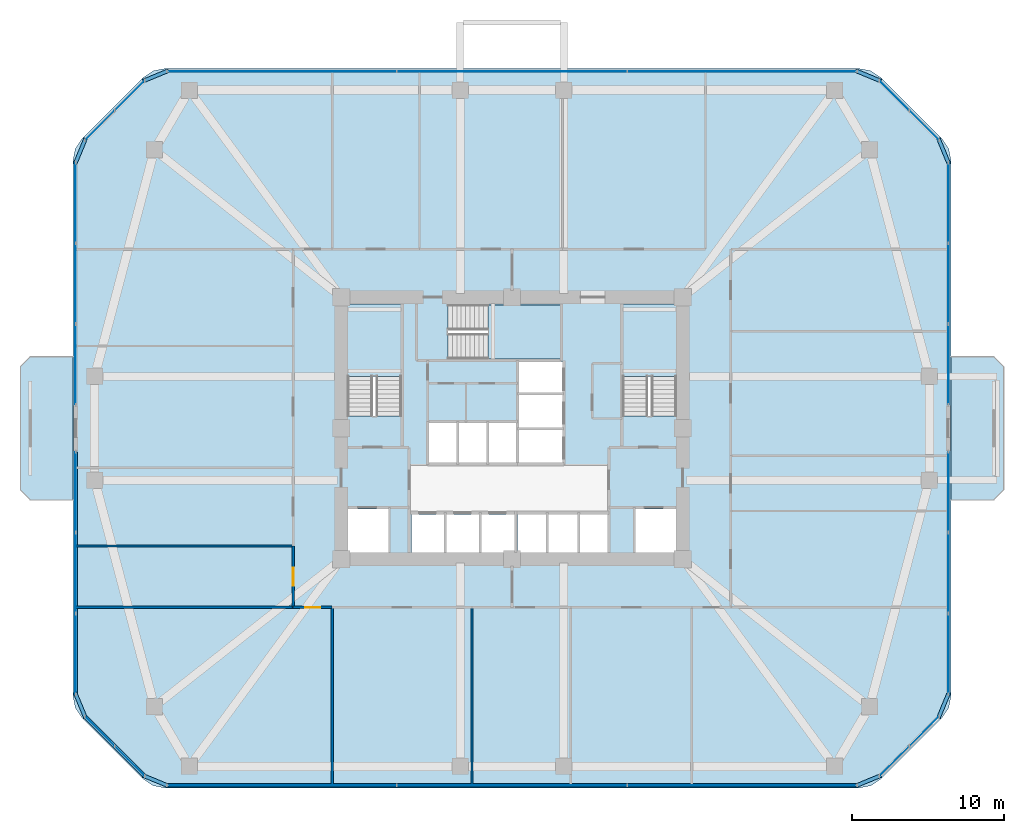
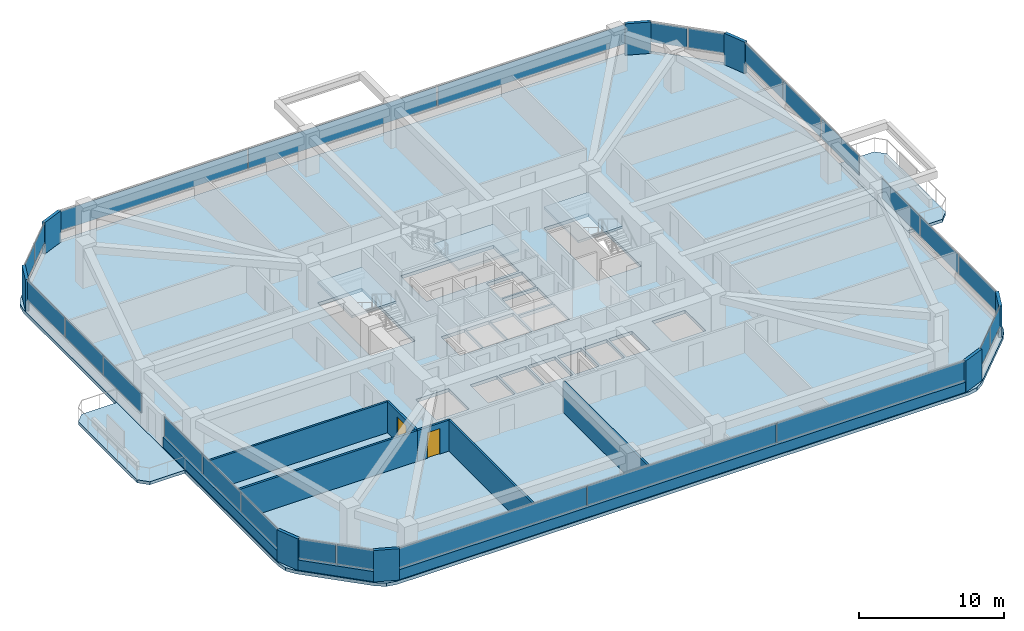
# One storey, part 9 of 15: 34 plates, 9 walls, 6 slabs, 2 doors, 2 openings, 13 elements without a shape of their own.
"""IFC4 building model written with IfcOpenShell, lengths in metres."""

from ifc_helpers import new_model, si_unit, derived_unit, direction, frame, frame_2d, origin, origin_2d, place, context, subcontext, project, spatial, polyline, rectangle, outline, extrude, material, layer, layer_set, type_object, element, fill, aggregate, save


model = new_model("IFC4")

# Units and contexts
model_context = context("Model", 3, precision=1e-05, world=origin(), true_north=direction((0.0, 1.0)))
body_context = subcontext(model_context, "Body", "Model", "MODEL_VIEW")
ifc_project = project(units=[si_unit("LENGTHUNIT", "METRE"), si_unit("AREAUNIT", "SQUARE_METRE"), si_unit("VOLUMEUNIT", "CUBIC_METRE"), si_unit("PLANEANGLEUNIT", "RADIAN"), si_unit("MASSUNIT", "GRAM", prefix="KILO"), derived_unit("THERMALTRANSMITTANCEUNIT", [(si_unit("POWERUNIT", "WATT"), 1), (si_unit("LENGTHUNIT", "METRE"), -2), (si_unit("THERMODYNAMICTEMPERATUREUNIT", "KELVIN"), -1)])], contexts=[model_context])

# Site, building, storey
site_placement = place(None, origin())
site = spatial("IfcSite", under=ifc_project, at=site_placement, CompositionType="ELEMENT")
building_placement = place(site_placement, origin())
building = spatial("IfcBuilding", under=site, at=building_placement, Name="Koralith Skygarden Medical Center", CompositionType="ELEMENT")
storey_placement = place(building_placement, frame((0.0, 0.0, 56.340087890625)))
storey = spatial("IfcBuildingStorey", under=building, at=storey_placement, Name="L14", CompositionType="ELEMENT", Elevation=56.340087890625)

# Curtain wall, plates
ifc_material_1 = material(Name="Clear Laminated Glass", Category="glass")
curtain_wall_type = type_object("IfcCurtainWallType", Name="CW-2 Zone 1 Hurricane Unitised Curtain Wall", PredefinedType="NOTDEFINED", material=ifc_material_1)
curtain_wall_1_placement = place(storey_placement, origin())
curtain_wall_1 = element("IfcCurtainWall", 1, at=curtain_wall_1_placement, inside=storey, type_object=curtain_wall_type, Name="Curtain Wall CW-L14-S", PredefinedType="NOTDEFINED")
ifc_layer_1 = layer(ifc_material_1, 0.031982421875)
ifc_layer_set_1 = layer_set([ifc_layer_1], Name="Clear Laminated Glass")
plate_type_1 = type_object("IfcPlateType", Name="CW-2 Hurricane Laminated IGU Panel 32", PredefinedType="CURTAIN_PANEL", material=ifc_layer_set_1)
plate_1_placement = place(storey_placement, frame((21.903076171875, 2.47998046875, 0.919921875), z_axis=(0.0, 0.0, 1.0), x_axis=(1.0, 0.0, 0.0)))
plate_1 = element("IfcPlate", 2, at=plate_1_placement, type_object=plate_type_1, Name="CW-L14-S Glazed Panel 1", PredefinedType="CURTAIN_PANEL", context=body_context, shape_type="SweptSolid", body=[
    extrude(rectangle(XDim=15.007080078125, YDim=0.031982421875, at=origin_2d()), origin(), (0.0, 0.0, 1.0), 1.659912109375),
])
plate_2_placement = place(storey_placement, frame((37.0, 2.47998046875, 0.919921875), z_axis=(0.0, 0.0, 1.0), x_axis=(1.0, 0.0, 0.0)))
plate_2 = element("IfcPlate", 3, at=plate_2_placement, type_object=plate_type_1, Name="CW-L14-S Glazed Panel 2", PredefinedType="CURTAIN_PANEL", context=body_context, shape_type="SweptSolid", body=[
    extrude(rectangle(XDim=15.007080078125, YDim=0.031982421875, at=origin_2d()), origin(), (0.0, 0.0, 1.0), 1.659912109375),
])
plate_3_placement = place(storey_placement, frame((52.096923828125, 2.47998046875, 0.919921875), z_axis=(0.0, 0.0, 1.0), x_axis=(1.0, 0.0, 0.0)))
plate_3 = element("IfcPlate", 4, at=plate_3_placement, type_object=plate_type_1, Name="CW-L14-S Glazed Panel 3", PredefinedType="CURTAIN_PANEL", context=body_context, shape_type="SweptSolid", body=[
    extrude(rectangle(XDim=15.007080078125, YDim=0.031982421875, at=origin_2d()), origin(), (0.0, 0.0, 1.0), 1.659912109375),
])
aggregate(curtain_wall_1, [plate_1, plate_2, plate_3])

curtain_wall_2_placement = place(storey_placement, origin())
curtain_wall_2 = element("IfcCurtainWall", 5, at=curtain_wall_2_placement, inside=storey, type_object=curtain_wall_type, Name="Curtain Wall CW-L14-SE", PredefinedType="NOTDEFINED")
plate_4_placement = place(storey_placement, frame((62.076904296875, 4.06201171875, 0.919921875), z_axis=(0.0, 0.0, 1.0), x_axis=(0.707106781187, 0.707106781187, 0.0)))
plate_4 = element("IfcPlate", 6, at=plate_4_placement, type_object=plate_type_1, Name="CW-L14-SE Glazed Panel 1", PredefinedType="CURTAIN_PANEL", context=body_context, shape_type="SweptSolid", body=[
    extrude(rectangle(XDim=2.68408203125, YDim=0.031982421875, at=origin_2d()), origin(), (0.0, 0.0, 1.0), 1.659912109375),
])
plate_5_placement = place(storey_placement, frame((64.0380859375, 6.02294921875, 0.919921875), z_axis=(0.0, 0.0, 1.0), x_axis=(0.707106781187, 0.707106781187, 0.0)))
plate_5 = element("IfcPlate", 7, at=plate_5_placement, type_object=plate_type_1, Name="CW-L14-SE Glazed Panel 2", PredefinedType="CURTAIN_PANEL", context=body_context, shape_type="SweptSolid", body=[
    extrude(rectangle(XDim=2.68408203125, YDim=0.031982421875, at=origin_2d()), origin(), (0.0, 0.0, 1.0), 1.659912109375),
])
aggregate(curtain_wall_2, [plate_4, plate_5])

curtain_wall_3_placement = place(storey_placement, origin())
curtain_wall_3 = element("IfcCurtainWall", 8, at=curtain_wall_3_placement, inside=storey, type_object=curtain_wall_type, Name="Curtain Wall CW-L14-E-L", PredefinedType="NOTDEFINED")
plate_6_placement = place(storey_placement, frame((65.6201171875, 11.10595703125, 0.919921875), z_axis=(0.0, 0.0, 1.0), x_axis=(0.0, 1.0, 0.0)))
plate_6 = element("IfcPlate", 9, at=plate_6_placement, type_object=plate_type_1, Name="CW-L14-E-L Glazed Panel 1", PredefinedType="CURTAIN_PANEL", context=body_context, shape_type="SweptSolid", body=[
    extrude(rectangle(XDim=5.2119140625, YDim=0.031982421875, at=origin_2d()), origin(), (0.0, 0.0, 1.0), 1.659912109375),
])
plate_7_placement = place(storey_placement, frame((65.6201171875, 16.406982421875, 0.919921875), z_axis=(0.0, 0.0, 1.0), x_axis=(0.0, 1.0, 0.0)))
plate_7 = element("IfcPlate", 10, at=plate_7_placement, type_object=plate_type_1, Name="CW-L14-E-L Glazed Panel 2", PredefinedType="CURTAIN_PANEL", context=body_context, shape_type="SweptSolid", body=[
    extrude(rectangle(XDim=5.2119140625, YDim=0.031982421875, at=origin_2d()), origin(), (0.0, 0.0, 1.0), 1.659912109375),
])
plate_8_placement = place(storey_placement, frame((65.6201171875, 21.708984375, 0.919921875), z_axis=(0.0, 0.0, 1.0), x_axis=(0.0, 1.0, 0.0)))
plate_8 = element("IfcPlate", 11, at=plate_8_placement, type_object=plate_type_1, Name="CW-L14-E-L Glazed Panel 3", PredefinedType="CURTAIN_PANEL", context=body_context, shape_type="SweptSolid", body=[
    extrude(rectangle(XDim=5.2119140625, YDim=0.031982421875, at=origin_2d()), origin(), (0.0, 0.0, 1.0), 1.659912109375),
])
aggregate(curtain_wall_3, [plate_6, plate_7, plate_8])

curtain_wall_4_placement = place(storey_placement, origin())
curtain_wall_4 = element("IfcCurtainWall", 12, at=curtain_wall_4_placement, inside=storey, type_object=curtain_wall_type, Name="Curtain Wall CW-L14-E-R", PredefinedType="NOTDEFINED")
plate_9_placement = place(storey_placement, frame((65.6201171875, 30.091064453125, 0.919921875), z_axis=(0.0, 0.0, 1.0), x_axis=(0.0, 1.0, 0.0)))
plate_9 = element("IfcPlate", 13, at=plate_9_placement, type_object=plate_type_1, Name="CW-L14-E-R Glazed Panel 1", PredefinedType="CURTAIN_PANEL", context=body_context, shape_type="SweptSolid", body=[
    extrude(rectangle(XDim=5.2119140625, YDim=0.031982421875, at=origin_2d()), origin(), (0.0, 0.0, 1.0), 1.659912109375),
])
plate_10_placement = place(storey_placement, frame((65.6201171875, 35.39208984375, 0.919921875), z_axis=(0.0, 0.0, 1.0), x_axis=(0.0, 1.0, 0.0)))
plate_10 = element("IfcPlate", 14, at=plate_10_placement, type_object=plate_type_1, Name="CW-L14-E-R Glazed Panel 2", PredefinedType="CURTAIN_PANEL", context=body_context, shape_type="SweptSolid", body=[
    extrude(rectangle(XDim=5.2119140625, YDim=0.031982421875, at=origin_2d()), origin(), (0.0, 0.0, 1.0), 1.659912109375),
])
plate_11_placement = place(storey_placement, frame((65.6201171875, 40.694091796875, 0.919921875), z_axis=(0.0, 0.0, 1.0), x_axis=(0.0, 1.0, 0.0)))
plate_11 = element("IfcPlate", 15, at=plate_11_placement, type_object=plate_type_1, Name="CW-L14-E-R Glazed Panel 3", PredefinedType="CURTAIN_PANEL", context=body_context, shape_type="SweptSolid", body=[
    extrude(rectangle(XDim=5.2119140625, YDim=0.031982421875, at=origin_2d()), origin(), (0.0, 0.0, 1.0), 1.659912109375),
])
aggregate(curtain_wall_4, [plate_9, plate_10, plate_11])

curtain_wall_5_placement = place(storey_placement, origin())
curtain_wall_5 = element("IfcCurtainWall", 16, at=curtain_wall_5_placement, inside=storey, type_object=curtain_wall_type, Name="Curtain Wall CW-L14-NE", PredefinedType="NOTDEFINED")
plate_12_placement = place(storey_placement, frame((64.0380859375, 45.777099609375, 0.919921875), z_axis=(0.0, 0.0, 1.0), x_axis=(-0.707106781187, 0.707106781187, 0.0)))
plate_12 = element("IfcPlate", 17, at=plate_12_placement, type_object=plate_type_1, Name="CW-L14-NE Glazed Panel 1", PredefinedType="CURTAIN_PANEL", context=body_context, shape_type="SweptSolid", body=[
    extrude(rectangle(XDim=2.68408203125, YDim=0.031982421875, at=origin_2d()), origin(), (0.0, 0.0, 1.0), 1.659912109375),
])
plate_13_placement = place(storey_placement, frame((62.076904296875, 47.738037109375, 0.919921875), z_axis=(0.0, 0.0, 1.0), x_axis=(-0.707106781187, 0.707106781187, 0.0)))
plate_13 = element("IfcPlate", 18, at=plate_13_placement, type_object=plate_type_1, Name="CW-L14-NE Glazed Panel 2", PredefinedType="CURTAIN_PANEL", context=body_context, shape_type="SweptSolid", body=[
    extrude(rectangle(XDim=2.68408203125, YDim=0.031982421875, at=origin_2d()), origin(), (0.0, 0.0, 1.0), 1.659912109375),
])
aggregate(curtain_wall_5, [plate_12, plate_13])

curtain_wall_6_placement = place(storey_placement, origin())
curtain_wall_6 = element("IfcCurtainWall", 19, at=curtain_wall_6_placement, inside=storey, type_object=curtain_wall_type, Name="Curtain Wall CW-L14-N", PredefinedType="NOTDEFINED")
plate_14_placement = place(storey_placement, frame((52.096923828125, 49.320068359375, 0.919921875), z_axis=(0.0, 0.0, 1.0), x_axis=(-1.0, 0.0, 0.0)))
plate_14 = element("IfcPlate", 20, at=plate_14_placement, type_object=plate_type_1, Name="CW-L14-N Glazed Panel 1", PredefinedType="CURTAIN_PANEL", context=body_context, shape_type="SweptSolid", body=[
    extrude(rectangle(XDim=15.007080078125, YDim=0.031982421875, at=origin_2d()), origin(), (0.0, 0.0, 1.0), 1.659912109375),
])
plate_15_placement = place(storey_placement, frame((37.0, 49.320068359375, 0.919921875), z_axis=(0.0, 0.0, 1.0), x_axis=(-1.0, 0.0, 0.0)))
plate_15 = element("IfcPlate", 21, at=plate_15_placement, type_object=plate_type_1, Name="CW-L14-N Glazed Panel 2", PredefinedType="CURTAIN_PANEL", context=body_context, shape_type="SweptSolid", body=[
    extrude(rectangle(XDim=15.007080078125, YDim=0.031982421875, at=origin_2d()), origin(), (0.0, 0.0, 1.0), 1.659912109375),
])
plate_16_placement = place(storey_placement, frame((21.903076171875, 49.320068359375, 0.919921875), z_axis=(0.0, 0.0, 1.0), x_axis=(-1.0, 0.0, 0.0)))
plate_16 = element("IfcPlate", 22, at=plate_16_placement, type_object=plate_type_1, Name="CW-L14-N Glazed Panel 3", PredefinedType="CURTAIN_PANEL", context=body_context, shape_type="SweptSolid", body=[
    extrude(rectangle(XDim=15.007080078125, YDim=0.031982421875, at=origin_2d()), origin(), (0.0, 0.0, 1.0), 1.659912109375),
])
aggregate(curtain_wall_6, [plate_14, plate_15, plate_16])

curtain_wall_7_placement = place(storey_placement, origin())
curtain_wall_7 = element("IfcCurtainWall", 23, at=curtain_wall_7_placement, inside=storey, type_object=curtain_wall_type, Name="Curtain Wall CW-L14-NW", PredefinedType="NOTDEFINED")
plate_17_placement = place(storey_placement, frame((11.923095703125, 47.738037109375, 0.919921875), z_axis=(0.0, 0.0, 1.0), x_axis=(-0.707106781187, -0.707106781187, 0.0)))
plate_17 = element("IfcPlate", 24, at=plate_17_placement, type_object=plate_type_1, Name="CW-L14-NW Glazed Panel 1", PredefinedType="CURTAIN_PANEL", context=body_context, shape_type="SweptSolid", body=[
    extrude(rectangle(XDim=2.68408203125, YDim=0.031982421875, at=origin_2d()), origin(), (0.0, 0.0, 1.0), 1.659912109375),
])
plate_18_placement = place(storey_placement, frame((9.9619140625, 45.777099609375, 0.919921875), z_axis=(0.0, 0.0, 1.0), x_axis=(-0.707106781187, -0.707106781187, 0.0)))
plate_18 = element("IfcPlate", 25, at=plate_18_placement, type_object=plate_type_1, Name="CW-L14-NW Glazed Panel 2", PredefinedType="CURTAIN_PANEL", context=body_context, shape_type="SweptSolid", body=[
    extrude(rectangle(XDim=2.68408203125, YDim=0.031982421875, at=origin_2d()), origin(), (0.0, 0.0, 1.0), 1.659912109375),
])
aggregate(curtain_wall_7, [plate_17, plate_18])

curtain_wall_8_placement = place(storey_placement, origin())
curtain_wall_8 = element("IfcCurtainWall", 26, at=curtain_wall_8_placement, inside=storey, type_object=curtain_wall_type, Name="Curtain Wall CW-L14-W-L", PredefinedType="NOTDEFINED")
plate_19_placement = place(storey_placement, frame((8.3798828125, 40.694091796875, 0.919921875), z_axis=(0.0, 0.0, 1.0), x_axis=(0.0, -1.0, 0.0)))
plate_19 = element("IfcPlate", 27, at=plate_19_placement, type_object=plate_type_1, Name="CW-L14-W-L Glazed Panel 1", PredefinedType="CURTAIN_PANEL", context=body_context, shape_type="SweptSolid", body=[
    extrude(rectangle(XDim=5.2119140625, YDim=0.031982421875, at=origin_2d()), origin(), (0.0, 0.0, 1.0), 1.659912109375),
])
plate_20_placement = place(storey_placement, frame((8.3798828125, 35.39208984375, 0.919921875), z_axis=(0.0, 0.0, 1.0), x_axis=(0.0, -1.0, 0.0)))
plate_20 = element("IfcPlate", 28, at=plate_20_placement, type_object=plate_type_1, Name="CW-L14-W-L Glazed Panel 2", PredefinedType="CURTAIN_PANEL", context=body_context, shape_type="SweptSolid", body=[
    extrude(rectangle(XDim=5.2119140625, YDim=0.031982421875, at=origin_2d()), origin(), (0.0, 0.0, 1.0), 1.659912109375),
])
plate_21_placement = place(storey_placement, frame((8.3798828125, 30.091064453125, 0.919921875), z_axis=(0.0, 0.0, 1.0), x_axis=(0.0, -1.0, 0.0)))
plate_21 = element("IfcPlate", 29, at=plate_21_placement, type_object=plate_type_1, Name="CW-L14-W-L Glazed Panel 3", PredefinedType="CURTAIN_PANEL", context=body_context, shape_type="SweptSolid", body=[
    extrude(rectangle(XDim=5.2119140625, YDim=0.031982421875, at=origin_2d()), origin(), (0.0, 0.0, 1.0), 1.659912109375),
])
aggregate(curtain_wall_8, [plate_19, plate_20, plate_21])

curtain_wall_9_placement = place(storey_placement, origin())
curtain_wall_9 = element("IfcCurtainWall", 30, at=curtain_wall_9_placement, inside=storey, type_object=curtain_wall_type, Name="Curtain Wall CW-L14-W-R", PredefinedType="NOTDEFINED")
plate_22_placement = place(storey_placement, frame((8.3798828125, 21.708984375, 0.919921875), z_axis=(0.0, 0.0, 1.0), x_axis=(0.0, -1.0, 0.0)))
plate_22 = element("IfcPlate", 31, at=plate_22_placement, type_object=plate_type_1, Name="CW-L14-W-R Glazed Panel 1", PredefinedType="CURTAIN_PANEL", context=body_context, shape_type="SweptSolid", body=[
    extrude(rectangle(XDim=5.2119140625, YDim=0.031982421875, at=origin_2d()), origin(), (0.0, 0.0, 1.0), 1.659912109375),
])
plate_23_placement = place(storey_placement, frame((8.3798828125, 16.406982421875, 0.919921875), z_axis=(0.0, 0.0, 1.0), x_axis=(0.0, -1.0, 0.0)))
plate_23 = element("IfcPlate", 32, at=plate_23_placement, type_object=plate_type_1, Name="CW-L14-W-R Glazed Panel 2", PredefinedType="CURTAIN_PANEL", context=body_context, shape_type="SweptSolid", body=[
    extrude(rectangle(XDim=5.2119140625, YDim=0.031982421875, at=origin_2d()), origin(), (0.0, 0.0, 1.0), 1.659912109375),
])
plate_24_placement = place(storey_placement, frame((8.3798828125, 11.10595703125, 0.919921875), z_axis=(0.0, 0.0, 1.0), x_axis=(0.0, -1.0, 0.0)))
plate_24 = element("IfcPlate", 33, at=plate_24_placement, type_object=plate_type_1, Name="CW-L14-W-R Glazed Panel 3", PredefinedType="CURTAIN_PANEL", context=body_context, shape_type="SweptSolid", body=[
    extrude(rectangle(XDim=5.2119140625, YDim=0.031982421875, at=origin_2d()), origin(), (0.0, 0.0, 1.0), 1.659912109375),
])
aggregate(curtain_wall_9, [plate_22, plate_23, plate_24])

curtain_wall_10_placement = place(storey_placement, origin())
curtain_wall_10 = element("IfcCurtainWall", 34, at=curtain_wall_10_placement, inside=storey, type_object=curtain_wall_type, Name="Curtain Wall CW-L14-SW", PredefinedType="NOTDEFINED")
plate_25_placement = place(storey_placement, frame((9.9619140625, 6.02294921875, 0.919921875), z_axis=(0.0, 0.0, 1.0), x_axis=(0.707106781187, -0.707106781187, 0.0)))
plate_25 = element("IfcPlate", 35, at=plate_25_placement, type_object=plate_type_1, Name="CW-L14-SW Glazed Panel 1", PredefinedType="CURTAIN_PANEL", context=body_context, shape_type="SweptSolid", body=[
    extrude(rectangle(XDim=2.68408203125, YDim=0.031982421875, at=origin_2d()), origin(), (0.0, 0.0, 1.0), 1.659912109375),
])
plate_26_placement = place(storey_placement, frame((11.923095703125, 4.06201171875, 0.919921875), z_axis=(0.0, 0.0, 1.0), x_axis=(0.707106781187, -0.707106781187, 0.0)))
plate_26 = element("IfcPlate", 36, at=plate_26_placement, type_object=plate_type_1, Name="CW-L14-SW Glazed Panel 2", PredefinedType="CURTAIN_PANEL", context=body_context, shape_type="SweptSolid", body=[
    extrude(rectangle(XDim=2.68408203125, YDim=0.031982421875, at=origin_2d()), origin(), (0.0, 0.0, 1.0), 1.659912109375),
])
aggregate(curtain_wall_10, [plate_25, plate_26])

# Slabs
ifc_material_2 = material(Name="Concrete C45/55", Category="concrete")
ifc_layer_2 = layer(ifc_material_2, 0.260009765625)
ifc_layer_set_2 = layer_set([ifc_layer_2], Name="Concrete C45/55")
slab_type_1 = type_object("IfcSlabType", Name="Cantilevered Planted Balcony Slab 260", PredefinedType="FLOOR", material=ifc_layer_set_2)
slab_1_placement = place(storey_placement, frame((0.0, 0.0, -0.260009765625)))
element("IfcSlab", 37, at=slab_1_placement, inside=storey, type_object=slab_type_1, Name="L14 E Planted Sky-Garden Balcony Slab", PredefinedType="FLOOR", context=body_context, shape_type="SweptSolid", body=[
    extrude(outline(polyline([(65.800048828125, 21.199951171875), (68.60009765625, 21.199951171875), (69.25, 21.85009765625), (69.25, 29.949951171875), (68.60009765625, 30.60009765625), (65.800048828125, 30.60009765625), (65.800048828125, 21.199951171875)])), origin(), (0.0, 0.0, 1.0), 0.260009765625),
])
slab_2_placement = place(storey_placement, frame((0.0, 0.0, -0.260009765625)))
element("IfcSlab", 38, at=slab_2_placement, inside=storey, type_object=slab_type_1, Name="L14 W Planted Sky-Garden Balcony Slab", PredefinedType="FLOOR", context=body_context, shape_type="SweptSolid", body=[
    extrude(outline(polyline([(5.39990234375, 21.199951171875), (8.199951171875, 21.199951171875), (8.199951171875, 30.60009765625), (5.39990234375, 30.60009765625), (4.75, 29.949951171875), (4.75, 21.85009765625), (5.39990234375, 21.199951171875)])), origin(), (0.0, 0.0, 1.0), 0.260009765625),
])

# Stair, slab
stair_type = type_object("IfcStairType", Name="Core Exit Dogleg Concrete Stair", PredefinedType="HALF_TURN_STAIR", material=ifc_material_2)
stair_1_placement = place(storey_placement, origin())
stair_1 = element("IfcStair", 39, at=stair_1_placement, inside=storey, type_object=stair_type, Name="L14 Smokeproof Exit Stair ST1", PredefinedType="HALF_TURN_STAIR")
ifc_layer_3 = layer(ifc_material_2, 0.199951171875)
ifc_layer_set_3 = layer_set([ifc_layer_3], Name="Concrete C45/55")
slab_type_2 = type_object("IfcSlabType", Name="Core Exit Concrete Stair Landing 200", PredefinedType="LANDING", material=ifc_layer_set_3)
slab_3_placement = place(storey_placement, frame((0.0, 0.0, 1.599853515625)))
slab_3 = element("IfcSlab", 40, at=slab_3_placement, type_object=slab_type_2, Name="ST1 landing 1", PredefinedType="LANDING", context=body_context, shape_type="SweptSolid", body=[
    extrude(outline(polyline([(29.75, 29.31005859375), (29.75, 34.050048828125), (26.199951171875, 34.050048828125), (26.199951171875, 29.31005859375), (29.75, 29.31005859375)])), origin(), (0.0, 0.0, 1.0), 0.199951171875),
])
aggregate(stair_1, [slab_3])

stair_2_placement = place(storey_placement, origin())
stair_2 = element("IfcStair", 41, at=stair_2_placement, inside=storey, type_object=stair_type, Name="L14 Smokeproof Exit Stair ST2", PredefinedType="HALF_TURN_STAIR")
slab_4_placement = place(storey_placement, frame((0.0, 0.0, 1.599853515625)))
slab_4 = element("IfcSlab", 42, at=slab_4_placement, type_object=slab_type_2, Name="ST2 landing 1", PredefinedType="LANDING", context=body_context, shape_type="SweptSolid", body=[
    extrude(outline(polyline([(47.800048828125, 29.31005859375), (47.800048828125, 34.050048828125), (44.25, 34.050048828125), (44.25, 29.31005859375), (47.800048828125, 29.31005859375)])), origin(), (0.0, 0.0, 1.0), 0.199951171875),
])
aggregate(stair_2, [slab_4])

stair_3_placement = place(storey_placement, origin())
stair_3 = element("IfcStair", 43, at=stair_3_placement, inside=storey, type_object=stair_type, Name="L14 Smokeproof Exit Stair ST3", PredefinedType="HALF_TURN_STAIR")
slab_5_placement = place(storey_placement, frame((0.0, 0.0, 1.599853515625)))
slab_5 = element("IfcSlab", 44, at=slab_5_placement, type_object=slab_type_2, Name="ST3 landing 1", PredefinedType="LANDING", context=body_context, shape_type="SweptSolid", body=[
    extrude(outline(polyline([(35.409912109375, 30.449951171875), (40.199951171875, 30.449951171875), (40.199951171875, 34.0), (35.409912109375, 34.0), (35.409912109375, 30.449951171875)])), origin(), (0.0, 0.0, 1.0), 0.199951171875),
])
aggregate(stair_3, [slab_5])

# Slab
ifc_layer_4 = layer(ifc_material_2, 0.280029296875)
ifc_layer_set_4 = layer_set([ifc_layer_4], Name="Concrete C45/55")
slab_type_3 = type_object("IfcSlabType", Name="Post-Tensioned Ward Floor Plate 280", PredefinedType="FLOOR", material=ifc_layer_set_4)
slab_6_placement = place(storey_placement, frame((0.0, 0.0, -0.280029296875)))
element("IfcSlab", 45, at=slab_6_placement, inside=storey, type_object=slab_type_3, Name="Level L14 Structural Floor Slab", PredefinedType="FLOOR", context=body_context, shape_type="SweptSolid", body=[
    extrude(outline(polyline([(12.81396484375, 2.885986328125), (13.462890625, 2.451904296875), (14.22802734375, 2.300048828125), (59.77197265625, 2.300048828125), (60.537109375, 2.451904296875), (61.18603515625, 2.885986328125), (65.214111328125, 6.9140625), (65.64794921875, 7.56298828125), (65.800048828125, 8.327880859375), (65.800048828125, 43.471923828125), (65.64794921875, 44.237060546875), (65.214111328125, 44.885986328125), (61.18603515625, 48.9140625), (60.537109375, 49.347900390625), (59.77197265625, 49.5), (14.22802734375, 49.5), (13.462890625, 49.347900390625), (12.81396484375, 48.9140625), (8.785888671875, 44.885986328125), (8.35205078125, 44.237060546875), (8.199951171875, 43.471923828125), (8.199951171875, 8.327880859375), (8.35205078125, 7.56298828125), (8.785888671875, 6.9140625), (12.81396484375, 2.885986328125)]), holes=[polyline([(26.199951171875, 26.705078125), (29.75, 26.705078125), (29.75, 34.050048828125), (26.199951171875, 34.050048828125), (26.199951171875, 26.705078125)]), polyline([(44.25, 26.705078125), (47.800048828125, 26.705078125), (47.800048828125, 34.050048828125), (44.25, 34.050048828125), (44.25, 26.705078125)]), polyline([(32.804931640625, 30.449951171875), (40.199951171875, 30.449951171875), (40.199951171875, 34.0), (32.804931640625, 34.0), (32.804931640625, 30.449951171875)]), polyline([(26.25, 17.75), (28.89990234375, 17.75), (28.89990234375, 20.60009765625), (26.25, 20.60009765625), (26.25, 17.75)]), polyline([(45.10009765625, 17.75), (47.75, 17.75), (47.75, 20.60009765625), (45.10009765625, 20.60009765625), (45.10009765625, 17.75)]), polyline([(30.39990234375, 17.75), (32.550048828125, 17.75), (32.550048828125, 20.25), (30.39990234375, 20.25), (30.39990234375, 17.75)]), polyline([(32.699951171875, 17.75), (34.85009765625, 17.75), (34.85009765625, 20.25), (32.699951171875, 20.25), (32.699951171875, 17.75)]), polyline([(35.0, 17.75), (37.14990234375, 17.75), (37.14990234375, 20.25), (35.0, 20.25), (35.0, 17.75)]), polyline([(37.35009765625, 17.75), (39.25, 17.75), (39.25, 20.25), (37.35009765625, 20.25), (37.35009765625, 17.75)]), polyline([(39.39990234375, 17.75), (41.300048828125, 17.75), (41.300048828125, 20.25), (39.39990234375, 20.25), (39.39990234375, 17.75)]), polyline([(41.449951171875, 17.75), (43.300048828125, 17.75), (43.300048828125, 20.25), (41.449951171875, 20.25), (41.449951171875, 17.75)]), polyline([(31.550048828125, 23.64990234375), (33.39990234375, 23.64990234375), (33.39990234375, 26.25), (31.550048828125, 26.25), (31.550048828125, 23.64990234375)]), polyline([(33.5, 23.64990234375), (35.35009765625, 23.64990234375), (35.35009765625, 26.25), (33.5, 26.25), (33.5, 23.64990234375)]), polyline([(35.449951171875, 23.64990234375), (37.300048828125, 23.64990234375), (37.300048828125, 26.25), (35.449951171875, 26.25), (35.449951171875, 23.64990234375)]), polyline([(37.449951171875, 23.64990234375), (40.300048828125, 23.64990234375), (40.300048828125, 25.800048828125), (37.449951171875, 25.800048828125), (37.449951171875, 23.64990234375)]), polyline([(37.449951171875, 25.949951171875), (40.300048828125, 25.949951171875), (40.300048828125, 28.10009765625), (37.449951171875, 28.10009765625), (37.449951171875, 25.949951171875)]), polyline([(37.449951171875, 28.25), (40.300048828125, 28.25), (40.300048828125, 30.25), (37.449951171875, 30.25), (37.449951171875, 28.25)])]), origin(), (0.0, 0.0, 1.0), 0.280029296875),
])

# Plates
ifc_material_3 = material(Name="Warm Oolitic Limestone Cladding", Category="masonry")
ifc_layer_5 = layer(ifc_material_3, 0.239990234375)
ifc_layer_set_5 = layer_set([ifc_layer_5], Name="Warm Oolitic Limestone Cladding")
plate_type_2 = type_object("IfcPlateType", Name="Rounded-Corner Oolitic Limestone Cladding Panel 240", PredefinedType="USERDEFINED", material=ifc_layer_set_5)
for number, where, z_axis, x_axis, name in (
    (46, (60.3701171875, 2.780029296875, 0.0), (0.0, 0.0, 1.0), (0.92388487569, 0.382670532536, 0.0), "L14 Rounded-Corner Limestone Pier 1"),
    (47, (65.320068359375, 7.72900390625, 0.0), (0.0, 0.0, 1.0), (0.382670532536, 0.92388487569, 0.0), "L14 Rounded-Corner Limestone Pier 2"),
    (48, (65.320068359375, 44.070068359375, 0.0), (0.0, 0.0, 1.0), (-0.382670532536, 0.92388487569, 0.0), "L14 Rounded-Corner Limestone Pier 3"),
    (49, (60.3701171875, 49.02001953125, 0.0), (0.0, 0.0, 1.0), (-0.92388487569, 0.382670532536, 0.0), "L14 Rounded-Corner Limestone Pier 4"),
    (50, (13.6298828125, 49.02001953125, 0.0), (0.0, 0.0, 1.0), (-0.92388487569, -0.382670532536, 0.0), "L14 Rounded-Corner Limestone Pier 5"),
    (51, (8.680908203125, 44.070068359375, 0.0), (0.0, 0.0, 1.0), (-0.382670532536, -0.92388487569, 0.0), "L14 Rounded-Corner Limestone Pier 6"),
    (52, (8.680908203125, 7.72900390625, 0.0), (0.0, 0.0, 1.0), (0.382670532536, -0.92388487569, 0.0), "L14 Rounded-Corner Limestone Pier 7"),
    (53, (13.6298828125, 2.780029296875, 0.0), (0.0, 0.0, 1.0), (0.92388487569, -0.382670532536, 0.0), "L14 Rounded-Corner Limestone Pier 8"),
):
    element("IfcPlate", number, at=place(storey_placement, frame(where, z_axis=z_axis, x_axis=x_axis)), inside=storey, type_object=plate_type_2, Name=name, ObjectType="LIMESTONE CLADDING", PredefinedType="USERDEFINED", context=body_context, shape_type="SweptSolid", body=[
        extrude(rectangle(XDim=1.81103515625, YDim=0.239990234375, at=origin_2d()), origin(), (0.0, 0.0, 1.0), 2.64990234375),
    ])

# Walls
ifc_material_4 = material(Name="Gypsum Board Partition")
ifc_layer_6 = layer(ifc_material_4, 0.14990234375)
ifc_layer_set_6 = layer_set([ifc_layer_6], Name="Gypsum Board Partition")
wall_type_1 = type_object("IfcWallType", Name="Clinical Acoustic Partition 150", PredefinedType="PARTITIONING", material=ifc_layer_set_6)
for number, where, z_axis, x_axis, name in (
    (54, (25.199951171875, 14.14990234375, 0.0), (0.0, 0.0, 1.0), (0.0, -1.0, 0.0), "L14 Clinical Acoustic Partition 150 W-PART-L14-S-01"),
    (55, (34.3740234375, 14.14990234375, 0.0), (0.0, 0.0, 1.0), (0.0, -1.0, 0.0), "L14 Clinical Acoustic Partition 150 W-PART-L14-S-02"),
):
    element("IfcWall", number, at=place(storey_placement, frame(where, z_axis=z_axis, x_axis=x_axis)), inside=storey, type_object=wall_type_1, Name=name, PredefinedType="PARTITIONING", context=body_context, shape_type="SweptSolid", body=[
        extrude(rectangle(XDim=11.64990234375, YDim=0.14990234375, at=frame_2d((5.824951171875, 0.0))), origin(), (0.0, 0.0, 1.0), 2.60986328125),
    ])
wall_1_placement = place(storey_placement, frame((22.64990234375, 18.18310546875, 0.0), z_axis=(0.0, 0.0, 1.0), x_axis=(-1.0, 0.0, 0.0)))
element("IfcWall", 56, at=wall_1_placement, inside=storey, type_object=wall_type_1, Name="L14 Clinical Acoustic Partition 150 W-PART-L14-W-01", PredefinedType="PARTITIONING", context=body_context, shape_type="SweptSolid", body=[
    extrude(rectangle(XDim=14.25, YDim=0.14990234375, at=frame_2d((7.125, 0.0))), origin(), (0.0, 0.0, 1.0), 2.60986328125),
])
ifc_layer_7 = layer(ifc_material_4, 0.1650390625)
ifc_layer_set_7 = layer_set([ifc_layer_7], Name="Gypsum Board Partition")
wall_type_2 = type_object("IfcWallType", Name="Clinical Corridor Partition 165", PredefinedType="PARTITIONING", material=ifc_layer_set_7)
wall_2_placement = place(storey_placement, frame((8.39990234375, 14.14990234375, 0.0), z_axis=(0.0, 0.0, 1.0), x_axis=(1.0, 0.0, 0.0)))
element("IfcWall", 57, at=wall_2_placement, inside=storey, type_object=wall_type_2, Name="L14 Clinical Corridor Partition 165 W-WB-L14-SW", PredefinedType="PARTITIONING", context=body_context, shape_type="SweptSolid", body=[
    extrude(rectangle(XDim=14.25, YDim=0.1650390625, at=frame_2d((7.125, 0.0))), origin(), (0.0, 0.0, 1.0), 2.60986328125),
])

# Wall, opening, door
wall_3_placement = place(storey_placement, frame((22.64990234375, 14.14990234375, 0.0), z_axis=(0.0, 0.0, 1.0), x_axis=(1.0, 0.0, 0.0)))
wall_3 = element("IfcWall", 58, at=wall_3_placement, inside=storey, type_object=wall_type_2, Name="L14 Clinical Corridor Partition 165 W-CORR-L14-S-01", PredefinedType="PARTITIONING", context=body_context, shape_type="SweptSolid", body=[
    extrude(rectangle(XDim=2.550048828125, YDim=0.1650390625, at=frame_2d((1.27490234375, 0.0))), origin(), (0.0, 0.0, 1.0), 2.60986328125),
])
opening_1_placement = place(wall_3_placement, frame((0.77490234375, 0.0, 0.0)))
opening_1 = element("IfcOpeningElement", 59, at=opening_1_placement, cuts=wall_3, Name="Opening D-SUP", PredefinedType="OPENING", context=body_context, shape_type="SweptSolid", body=[
    extrude(rectangle(XDim=1.0, YDim=2.14990234375, at=frame_2d((0.5, 1.074951171875))), frame((0.0, 0.092529296875, 0.0), z_axis=(0.0, -1.0, 0.0), x_axis=(1.0, 0.0, 0.0)), (0.0, 0.0, 1.0), 0.18505859375),
])
ifc_material_5 = material(Name="Aluminium 6063-T6", Category="aluminium")
door_type_1 = type_object("IfcDoorType", Name="Clinical Support Door D-SUP 1000", OperationType="NOTDEFINED", PredefinedType="DOOR", material=ifc_material_5)
door_1_placement = place(opening_1_placement, frame((1.0, 0.0, 0.0), z_axis=(0.0, 0.0, 1.0), x_axis=(-1.0, 0.0, 0.0)))
door_1 = element("IfcDoor", 60, at=door_1_placement, inside=storey, type_object=door_type_1, Name="L14 Multidisciplinary Clinical Conference Room 05 Door", OperationType="SINGLE_SWING_RIGHT", OverallHeight=2.14990234375, OverallWidth=1.0, PredefinedType="DOOR", context=body_context, shape_type="SweptSolid", body=[
    extrude(rectangle(XDim=1.0, YDim=2.14990234375, at=frame_2d((0.5, 1.074951171875))), frame((0.0, 0.02490234375, 0.0), z_axis=(0.0, -1.0, 0.0), x_axis=(1.0, 0.0, 0.0)), (0.0, 0.0, 1.0), 0.050048828125),
])
fill(opening_1, door_1)

wall_4_placement = place(storey_placement, frame((22.64990234375, 14.14990234375, 0.0), z_axis=(0.0, 0.0, 1.0), x_axis=(0.0, 1.0, 0.0)))
wall_4 = element("IfcWall", 61, at=wall_4_placement, inside=storey, type_object=wall_type_2, Name="L14 Clinical Corridor Partition 165 W-CORR-L14-W-01", PredefinedType="PARTITIONING", context=body_context, shape_type="SweptSolid", body=[
    extrude(rectangle(XDim=4.033203125, YDim=0.1650390625, at=frame_2d((2.0166015625, 0.0))), origin(), (0.0, 0.0, 1.0), 2.60986328125),
])
opening_2_placement = place(wall_4_placement, frame((1.416015625, 0.0, 0.0)))
opening_2 = element("IfcOpeningElement", 62, at=opening_2_placement, cuts=wall_4, Name="Opening D-CLN", PredefinedType="OPENING", context=body_context, shape_type="SweptSolid", body=[
    extrude(rectangle(XDim=1.199951171875, YDim=2.14990234375, at=frame_2d((0.60009765625, 1.074951171875))), frame((0.0, 0.092529296875, 0.0), z_axis=(0.0, -1.0, 0.0), x_axis=(1.0, 0.0, 0.0)), (0.0, 0.0, 1.0), 0.18505859375),
])
door_type_2 = type_object("IfcDoorType", Name="Clinical Corridor Door D-CLN 1200", OperationType="NOTDEFINED", PredefinedType="DOOR", material=ifc_material_5)
door_2_placement = place(opening_2_placement, frame((1.199951171875, 0.0, 0.0), z_axis=(0.0, 0.0, 1.0), x_axis=(-1.0, 0.0, 0.0)))
door_2 = element("IfcDoor", 63, at=door_2_placement, inside=storey, type_object=door_type_2, Name="L14 Phlebotomy Blood Draw Room 10 Door", OperationType="SINGLE_SWING_LEFT", OverallHeight=2.14990234375, OverallWidth=1.199951171875, PredefinedType="DOOR", context=body_context, shape_type="SweptSolid", body=[
    extrude(rectangle(XDim=1.199951171875, YDim=2.14990234375, at=frame_2d((0.60009765625, 1.074951171875))), frame((0.0, 0.02490234375, 0.0), z_axis=(0.0, -1.0, 0.0), x_axis=(1.0, 0.0, 0.0)), (0.0, 0.0, 1.0), 0.050048828125),
])
fill(opening_2, door_2)

# Walls
ifc_layer_8 = layer(ifc_material_3, 0.239990234375)
ifc_layer_set_8 = layer_set([ifc_layer_8], Name="Warm Oolitic Limestone Cladding")
wall_type_3 = type_object("IfcWallType", Name="Limestone Spandrel Sill Backup Wall 240", PredefinedType="SOLIDWALL", material=ifc_layer_set_8)
wall_5_placement = place(storey_placement, frame((14.35498046875, 2.47998046875, 0.0), z_axis=(0.0, 0.0, 1.0), x_axis=(1.0, 0.0, 0.0)))
element("IfcWall", 64, at=wall_5_placement, inside=storey, type_object=wall_type_3, Name="L14 Sill Spandrel S", PredefinedType="SOLIDWALL", context=body_context, shape_type="SweptSolid", body=[
    extrude(rectangle(XDim=45.2900390625, YDim=0.239990234375, at=frame_2d((22.64501953125, 0.0))), origin(), (0.0, 0.0, 1.0), 0.849853515625),
])
wall_6_placement = place(storey_placement, frame((8.3798828125, 24.360107421875, 0.0), z_axis=(0.0, 0.0, 1.0), x_axis=(0.0, -1.0, 0.0)))
element("IfcWall", 65, at=wall_6_placement, inside=storey, type_object=wall_type_3, Name="L14 Sill Spandrel W-R", PredefinedType="SOLIDWALL", context=body_context, shape_type="SweptSolid", body=[
    extrude(rectangle(XDim=15.905029296875, YDim=0.239990234375, at=frame_2d((7.95263671875, 0.0))), origin(), (0.0, 0.0, 1.0), 0.849853515625),
])
wall_7_placement = place(storey_placement, frame((8.98095703125, 7.00390625, 0.0), z_axis=(0.0, 0.0, 1.0), x_axis=(0.707128783731, -0.707084777957, 0.0)))
element("IfcWall", 66, at=wall_7_placement, inside=storey, type_object=wall_type_3, Name="L14 Sill Spandrel SW", PredefinedType="SOLIDWALL", context=body_context, shape_type="SweptSolid", body=[
    extrude(rectangle(XDim=5.5478515625, YDim=0.239990234375, at=frame_2d((2.77392578125, 0.0))), origin(), (0.0, 0.0, 1.0), 0.849853515625),
])

save(model, "model.ifc")
